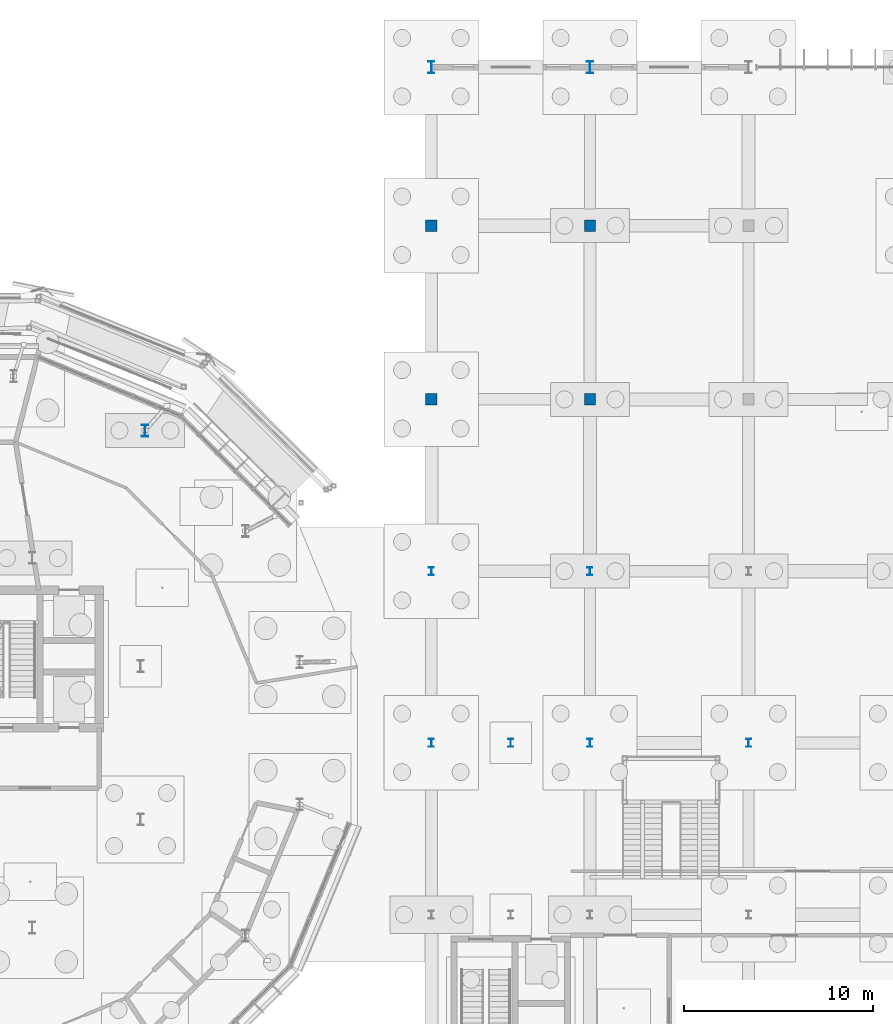
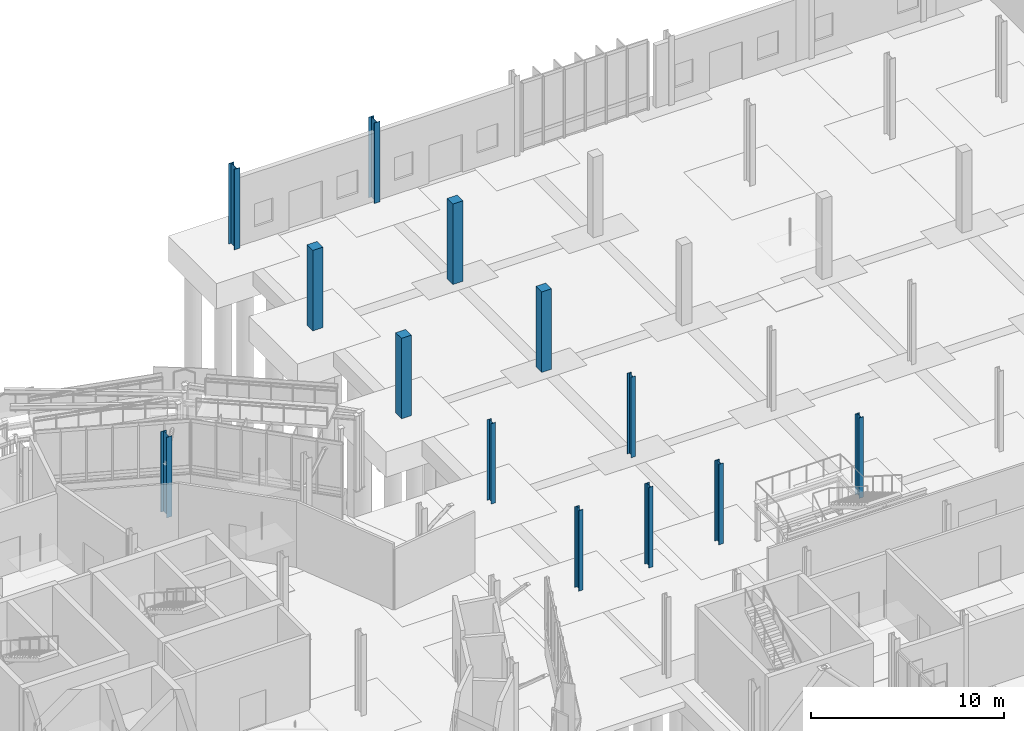
# One storey, part 20 of 119: 13 columns.
"""IFC4 building model written with IfcOpenShell, lengths in metres."""

from ifc_helpers import new_model, si_unit, derived_unit, direction, frame, origin, origin_2d, place, context, subcontext, project, spatial, rectangle, i_section, extrude, material, material_profile, profile_set, type_object, element, save


model = new_model("IFC4")

# Units and contexts
model_context = context("Model", 3, precision=1e-05, world=origin(), true_north=direction((0.0, 1.0)))
body_context = subcontext(model_context, "Body", "Model", "MODEL_VIEW")
ifc_project = project(units=[si_unit("LENGTHUNIT", "METRE"), si_unit("AREAUNIT", "SQUARE_METRE"), si_unit("VOLUMEUNIT", "CUBIC_METRE"), si_unit("PLANEANGLEUNIT", "RADIAN"), si_unit("MASSUNIT", "GRAM", prefix="KILO"), derived_unit("THERMALTRANSMITTANCEUNIT", [(si_unit("MASSUNIT", "GRAM", prefix="KILO"), 1), (si_unit("TIMEUNIT", "SECOND"), -3), (si_unit("THERMODYNAMICTEMPERATUREUNIT", "KELVIN"), -1)])], contexts=[model_context])

# Site, building, storey
site_placement = place(None, origin())
site = spatial("IfcSite", under=ifc_project, at=site_placement, CompositionType="ELEMENT")
building_placement = place(site_placement, origin())
building = spatial("IfcBuilding", under=site, at=building_placement, Name="Makaiwela Harbour Ferry Terminal", CompositionType="ELEMENT")
storey_placement = place(building_placement, origin())
storey = spatial("IfcBuildingStorey", under=building, at=storey_placement, Name="L00", CompositionType="ELEMENT", Elevation=0.0)

# Columns
ifc_material_1 = material(Name="Concrete f'c 45 MPa (6500 psi)", Category="concrete")
ifc_material_profile_1 = material_profile(ifc_material_1, rectangle(XDim=0.60009765625, YDim=0.60009765625, at=origin_2d()), Name="RC-600X600")
ifc_profile_set_1 = profile_set([ifc_material_profile_1], Name="Concrete f'c 45 MPa (6500 psi)")
column_type_1 = type_object("IfcColumnType", Name="STR-COL-RC600", PredefinedType="COLUMN", material=ifc_profile_set_1)
for number, where, z_axis, x_axis, name in (
    (1, (63.0, 85.800048828125, 0.0), (0.0, 0.0, 1.0), (1.0, 0.0, 0.0), "Structural Column C-09"),
    (2, (63.0, 95.0, 0.0), (0.0, 0.0, 1.0), (1.0, 0.0, 0.0), "Structural Column C-09"),
    (3, (71.39990234375, 85.800048828125, 0.0), (0.0, 0.0, 1.0), (1.0, 0.0, 0.0), "Structural Column C-09"),
    (4, (71.39990234375, 95.0, 0.0), (0.0, 0.0, 1.0), (1.0, 0.0, 0.0), "Structural Column C-09"),
):
    element("IfcColumn", number, at=place(storey_placement, frame(where, z_axis=z_axis, x_axis=x_axis)), inside=storey, type_object=column_type_1, Name=name, PredefinedType="COLUMN", context=body_context, shape_type="SweptSolid", body=[
        extrude(rectangle(XDim=0.60009765625, YDim=0.60009765625, at=origin_2d()), origin(), (0.0, 0.0, 1.0), 5.10009765625),
    ])
ifc_material_2 = material(Name="Steel ASTM A992 Grade 50", Category="steel")
ifc_material_profile_2 = material_profile(ifc_material_2, i_section(OverallWidth=0.264892578125, OverallDepth=0.430908203125, WebThickness=0.014892578125, FlangeThickness=0.02490234375, at=origin_2d()), Name="W16X100")
ifc_profile_set_2 = profile_set([ifc_material_profile_2], Name="Steel ASTM A992 Grade 50")
column_type_2 = type_object("IfcColumnType", Name="STR-COL-W16X100", PredefinedType="COLUMN", material=ifc_profile_set_2)
for number, where, z_axis, x_axis, name in (
    (5, (63.0, 67.60009765625, 0.0), (0.0, 0.0, 1.0), (1.0, 0.0, 0.0), "Structural Column C-03"),
    (6, (63.0, 76.699951171875, 0.0), (0.0, 0.0, 1.0), (1.0, 0.0, 0.0), "Structural Column C-03"),
    (7, (71.39990234375, 67.60009765625, 0.0), (0.0, 0.0, 1.0), (1.0, 0.0, 0.0), "Structural Column C-03"),
    (8, (71.39990234375, 76.699951171875, 0.0), (0.0, 0.0, 1.0), (1.0, 0.0, 0.0), "Structural Column C-03"),
    (9, (79.800048828125, 67.60009765625, 0.0), (0.0, 0.0, 1.0), (1.0, 0.0, 0.0), "Structural Column C-03"),
    (10, (67.199951171875, 67.60009765625, 0.0), (0.0, 0.0, 1.0), (1.0, 0.0, 0.0), "Structural Column C-03"),
):
    element("IfcColumn", number, at=place(storey_placement, frame(where, z_axis=z_axis, x_axis=x_axis)), inside=storey, type_object=column_type_2, Name=name, PredefinedType="COLUMN", context=body_context, shape_type="SweptSolid", body=[
        extrude(i_section(OverallWidth=0.264892578125, OverallDepth=0.430908203125, WebThickness=0.014892578125, FlangeThickness=0.02490234375, at=origin_2d()), origin(), (0.0, 0.0, 1.0), 5.10009765625),
    ])
ifc_material_profile_3 = material_profile(ifc_material_2, i_section(OverallWidth=0.327880859375, OverallDepth=0.6279296875, WebThickness=0.0166015625, FlangeThickness=0.027587890625, at=origin_2d()), Name="W24X146")
ifc_profile_set_3 = profile_set([ifc_material_profile_3], Name="Steel ASTM A992 Grade 50")
column_type_3 = type_object("IfcColumnType", Name="STR-COL-W24X146", PredefinedType="COLUMN", material=ifc_profile_set_3)
for number, where, z_axis, x_axis, name in (
    (11, (47.822509765625, 84.1474609375, 0.0), (0.0, 0.0, 1.0), (1.0, 0.0, 0.0), "Structural Column C-01"),
    (12, (63.0, 103.39990234375, 0.0), (0.0, 0.0, 1.0), (1.0, 0.0, 0.0), "Structural Column C-01"),
    (13, (71.39990234375, 103.39990234375, 0.0), (0.0, 0.0, 1.0), (1.0, 0.0, 0.0), "Structural Column C-01"),
):
    element("IfcColumn", number, at=place(storey_placement, frame(where, z_axis=z_axis, x_axis=x_axis)), inside=storey, type_object=column_type_3, Name=name, PredefinedType="COLUMN", context=body_context, shape_type="SweptSolid", body=[
        extrude(i_section(OverallWidth=0.327880859375, OverallDepth=0.6279296875, WebThickness=0.0166015625, FlangeThickness=0.027587890625, at=origin_2d()), origin(), (0.0, 0.0, 1.0), 5.10009765625),
    ])

save(model, "model.ifc")
